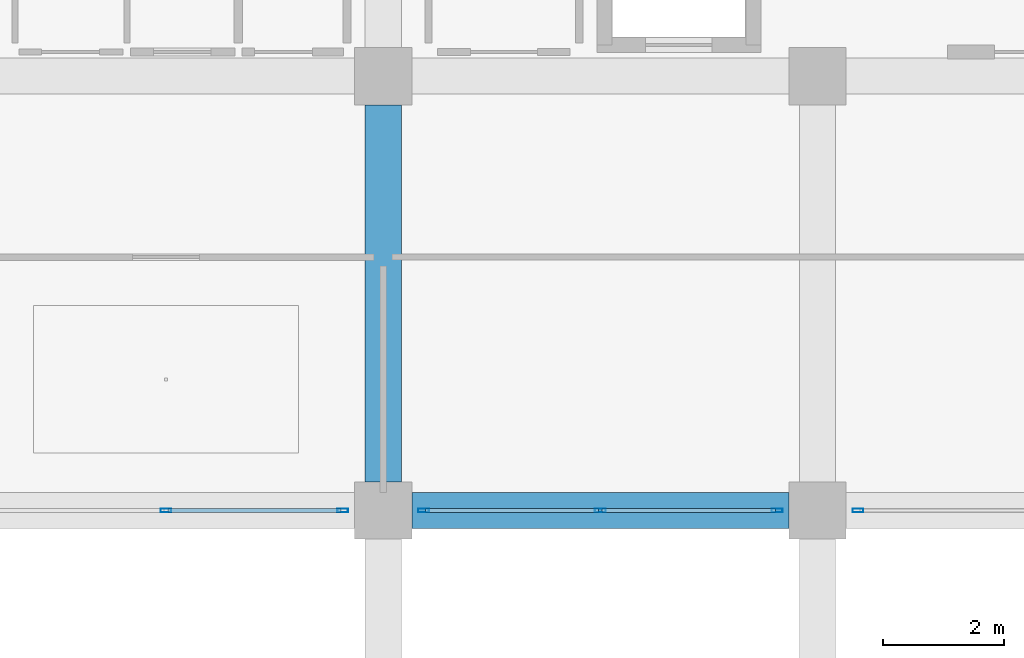
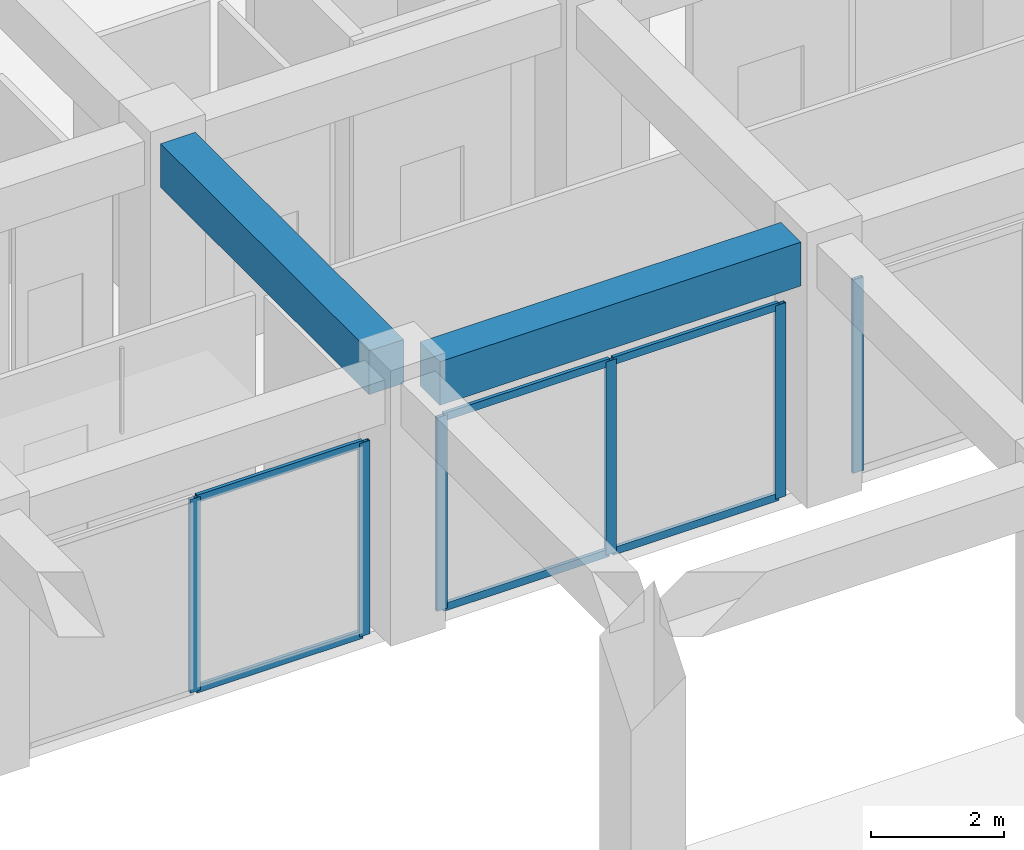
# One storey, part 13 of 54: 12 members, 2 beams, 3 elements without a shape of their own.
"""IFC4 building model written with IfcOpenShell, lengths in metres."""

import ifcopenshell
import ifcopenshell.guid

model = None  # the IFC model being written
_history = None  # IfcOwnerHistory: only IFC2X3 demands one
_inside = {}  # id of a spatial element -> (the spatial element, [elements in it])
_under = {}  # id of a project, library or spatial element -> (it, [spatial elements below it])
_declared = {}  # id of a project -> (the project, [libraries it declares])
_typed = {}  # id of a type object -> (the type object, [elements of that type])
_made_of = {}  # id of a material, layer set ... -> (it, [elements and type objects made of it])


def new_model(schema):
    """Start an empty IFC model of exactly this schema.

    Asked for "IFC4X3", IfcOpenShell would pick the latest addendum, in which some entities
    have other attributes; the version numbers below select the first issue.
    IFC2X3 requires an IfcOwnerHistory on every rooted entity: one is made here for all.
    """
    global model, _history
    if schema == "IFC4X3":
        model = ifcopenshell.file(schema_version=(4, 3, 0, 0))
    else:
        model = ifcopenshell.file(schema=schema)
    _inside.clear()
    _under.clear()
    _declared.clear()
    _typed.clear()
    _made_of.clear()
    _history = None
    if model.schema == "IFC2X3":
        org = make("IfcOrganization", Name="unknown")
        user = make(
            "IfcPersonAndOrganization",
            ThePerson=make("IfcPerson", FamilyName="unknown"),
            TheOrganization=org,
        )
        app = make(
            "IfcApplication",
            ApplicationDeveloper=org,
            Version="unknown",
            ApplicationFullName="unknown",
            ApplicationIdentifier="unknown",
        )
        _history = make(
            "IfcOwnerHistory",
            OwningUser=user,
            OwningApplication=app,
            ChangeAction="ADDED",
            CreationDate=0,
        )
    return model


def make(cls, **values):
    """One entity of the class cls with the attributes given. An attribute that is None is left unset."""
    return model.create_entity(
        cls, **{name: value for name, value in values.items() if value is not None}
    )


def rooted(cls, **values):
    """An entity with a GlobalId (a new one), such as an element, a storey or a relation."""
    return make(cls, GlobalId=ifcopenshell.guid.new(), OwnerHistory=_history, **values)


def si_unit(unit_type, name, prefix=None):
    """IfcSIUnit, for example si_unit("LENGTHUNIT", "METRE", prefix="MILLI")."""
    return make("IfcSIUnit", UnitType=unit_type, Prefix=prefix, Name=name)


def assignment(units):
    """IfcUnitAssignment: the units of a project."""
    return None if units is None else make("IfcUnitAssignment", Units=units)


def point(xyz):
    """IfcCartesianPoint."""
    return None if xyz is None else make("IfcCartesianPoint", Coordinates=xyz)


def direction(xyz):
    """IfcDirection."""
    return None if xyz is None else make("IfcDirection", DirectionRatios=xyz)


def frame(location, z_axis=None, x_axis=None):
    """IfcAxis2Placement3D, a coordinate frame: its origin and axes. An axis left out is left unset."""
    return make(
        "IfcAxis2Placement3D",
        Location=point(location),
        Axis=direction(z_axis),
        RefDirection=direction(x_axis),
    )


def frame_2d(location, x_axis=None):
    """IfcAxis2Placement2D, a coordinate frame in the plane: its origin and x axis."""
    return make(
        "IfcAxis2Placement2D", Location=point(location), RefDirection=direction(x_axis)
    )


def origin():
    """The frame at (0, 0, 0) with its axes left unset."""
    return frame((0.0, 0.0, 0.0))


def origin_2d():
    """The frame at (0, 0) in the plane with its x axis left unset."""
    return frame_2d((0.0, 0.0))


def place(relative_to, where):
    """IfcLocalPlacement: puts the frame where relative to a parent placement (None: the world)."""
    return make(
        "IfcLocalPlacement", PlacementRelTo=relative_to, RelativePlacement=where
    )


def context(
    kind, dimensions, precision=None, world=None, true_north=None, identifier=None
):
    """IfcGeometricRepresentationContext, for example the 3D "Model" context."""
    return make(
        "IfcGeometricRepresentationContext",
        ContextIdentifier=identifier,
        ContextType=kind,
        CoordinateSpaceDimension=dimensions,
        Precision=precision,
        WorldCoordinateSystem=world,
        TrueNorth=true_north,
    )


def subcontext(parent, identifier, kind, view, scale=None):
    """IfcGeometricRepresentationSubContext, for example "Body" below "Model"."""
    return make(
        "IfcGeometricRepresentationSubContext",
        ContextIdentifier=identifier,
        ContextType=kind,
        ParentContext=parent,
        TargetScale=scale,
        TargetView=view,
    )


def project(units=None, contexts=None):
    """IfcProject with its units and contexts."""
    return rooted(
        "IfcProject",
        Name="project",
        RepresentationContexts=contexts,
        UnitsInContext=assignment(units),
    )


def spatial(cls, under=None, at=None, **own):
    """A site, building, storey or space (cls), placed at a placement, below another one or the project."""
    s = rooted(cls, ObjectPlacement=at, **own)
    if under is not None:
        _under.setdefault(under.id(), (under, []))[1].append(s)
    return s


def profile(cls, at=None, kind="AREA", **sizes):
    """A parametric profile (cls). Its sizes go by their IFC names, for example OverallWidth=200.0."""
    return make(cls, ProfileType=kind, Position=at, **sizes)


def rectangle(**sizes):
    """IfcRectangleProfileDef."""
    return profile("IfcRectangleProfileDef", **sizes)


def hollow_rectangle(**sizes):
    """IfcRectangleHollowProfileDef."""
    return profile("IfcRectangleHollowProfileDef", **sizes)


def extrude(swept, where, along, depth):
    """IfcExtrudedAreaSolid: the profile swept, set in the frame where, extruded along a direction by depth."""
    return make(
        "IfcExtrudedAreaSolid",
        SweptArea=swept,
        Position=where,
        ExtrudedDirection=direction(along),
        Depth=depth,
    )


def shape(context_of_items, identifier, shape_type, items):
    """IfcShapeRepresentation: the items that make up one representation, for example the "Body"."""
    return make(
        "IfcShapeRepresentation",
        ContextOfItems=context_of_items,
        RepresentationIdentifier=identifier,
        RepresentationType=shape_type,
        Items=items,
    )


def material(Name=None, Category=None):
    """IfcMaterial."""
    return make("IfcMaterial", Name=Name, Category=Category)


def material_profile(
    of_material, cross_section, Name=None, Category=None, Priority=None
):
    """IfcMaterialProfile: a cross section and its material."""
    return make(
        "IfcMaterialProfile",
        Name=Name,
        Material=of_material,
        Profile=cross_section,
        Priority=Priority,
        Category=Category,
    )


def profile_set(profiles, Name=None, composite=None):
    """IfcMaterialProfileSet."""
    return make(
        "IfcMaterialProfileSet",
        Name=Name,
        MaterialProfiles=profiles,
        CompositeProfile=composite,
    )


def made_of(thing, what):
    """Note that an element or type object is made of a material, layer set ...; save() writes the relation."""
    if what is not None:
        _made_of.setdefault(what.id(), (what, []))[1].append(thing)
    return thing


def type_object(cls, material=None, **own):
    """A type object (cls), such as IfcWallType, which elements share."""
    return made_of(rooted(cls, **own), material)


def element(
    cls,
    number,
    at=None,
    inside=None,
    cuts=None,
    type_object=None,
    material=None,
    context=None,
    identifier="Body",
    shape_type=None,
    held_by="IfcProductDefinitionShape",
    body=None,
    shapes=None,
    **own,
):
    """One element of the class cls, such as IfcWall. Its Tag is "e" and its number.

    at: its placement. inside: the storey or other place that contains it. cuts: it is an
    opening in that element (IfcRelVoidsElement). A single representation is given by context,
    identifier, shape_type and body (its items); several are given by shapes. held_by: the class
    of the entity that holds the representations. save() writes the other relations.
    """
    e = rooted(cls, Tag="e%d" % number, ObjectPlacement=at, **own)
    if body is not None:
        shapes = [shape(context, identifier, shape_type, body)]
    if shapes is not None:
        e.Representation = make(held_by, Representations=shapes)
    if inside is not None:
        _inside.setdefault(inside.id(), (inside, []))[1].append(e)
    if cuts is not None:
        rooted(
            "IfcRelVoidsElement", RelatingBuildingElement=cuts, RelatedOpeningElement=e
        )
    if type_object is not None:
        _typed.setdefault(type_object.id(), (type_object, []))[1].append(e)
    return made_of(e, material)


def aggregate(whole, parts):
    """IfcRelAggregates: a whole, such as a stair, and the parts it consists of."""
    return rooted("IfcRelAggregates", RelatingObject=whole, RelatedObjects=parts)


def save(model, path):
    """Write the relations noted so far, then the file.

    IfcRelAggregates (storeys below a building ...), IfcRelContainedInSpatialStructure (elements
    in a storey), IfcRelDefinesByType, IfcRelAssociatesMaterial and IfcRelDeclares: one each for
    every whole, place, type object, material and project.
    """
    for whole, parts in _under.values():
        aggregate(whole, parts)
    for where, things in _inside.values():
        rooted(
            "IfcRelContainedInSpatialStructure",
            RelatedElements=things,
            RelatingStructure=where,
        )
    for kind, things in _typed.values():
        rooted("IfcRelDefinesByType", RelatedObjects=things, RelatingType=kind)
    for what, things in _made_of.values():
        rooted("IfcRelAssociatesMaterial", RelatedObjects=things, RelatingMaterial=what)
    for by, libraries in _declared.values():
        rooted("IfcRelDeclares", RelatingContext=by, RelatedDefinitions=libraries)
    model.write(path)


model = new_model("IFC4")

# Units and contexts
model_context = context("Model", 3, precision=1e-05, world=origin(), true_north=direction((0.0, 1.0)))
body_context = subcontext(model_context, "Body", "Model", "MODEL_VIEW")
ifc_project = project(units=[si_unit("LENGTHUNIT", "METRE"), si_unit("AREAUNIT", "SQUARE_METRE"), si_unit("VOLUMEUNIT", "CUBIC_METRE"), si_unit("PLANEANGLEUNIT", "RADIAN"), si_unit("MASSUNIT", "GRAM", prefix="KILO")], contexts=[model_context])

# Site, building, storey
site_placement = place(None, origin())
site = spatial("IfcSite", under=ifc_project, at=site_placement, CompositionType="ELEMENT")
building_placement = place(site_placement, origin())
building = spatial("IfcBuilding", under=site, at=building_placement, Name="Kazehaya Institute of Natural Sciences", CompositionType="ELEMENT")
storey_placement = place(building_placement, frame((0.0, 0.0, 5.39990234375)))
storey = spatial("IfcBuildingStorey", under=building, at=storey_placement, Name="L01", CompositionType="ELEMENT", Elevation=5.39990234375)

# Beams
ifc_material_1 = material(Name="Concrete Fc36", Category="concrete")
ifc_material_profile_1 = material_profile(ifc_material_1, rectangle(XDim=0.60009765625, YDim=0.800048828125, at=origin_2d()), Name="RC-600x800")
ifc_profile_set_1 = profile_set([ifc_material_profile_1], Name="Concrete Fc36")
beam_type = type_object("IfcBeamType", Name="BM-G-600x800", PredefinedType="BEAM", material=ifc_profile_set_1)
for number, where, z_axis, x_axis, name in (
    (1, (91.074951171875, 14.0, 4.3701171875), (1.0, 0.0, 0.0), (0.0, 1.0, 0.0), "L01 primary X girder BMX-L01-906-140"),
    (2, (90.60009765625, 14.47509765625, 4.3701171875), (0.0, 1.0, 0.0), (-1.0, 0.0, 0.0), "L01 primary Y girder BMY-L01-906-140"),
):
    element("IfcBeam", number, at=place(storey_placement, frame(where, z_axis=z_axis, x_axis=x_axis)), inside=storey, type_object=beam_type, Name=name, PredefinedType="BEAM", context=body_context, shape_type="SweptSolid", body=[
        extrude(rectangle(XDim=0.60009765625, YDim=0.800048828125, at=origin_2d()), origin(), (0.0, 0.0, 1.0), 6.25),
    ])

# Curtain wall, member
ifc_material_2 = material(Name="Aluminium alloy A6063S-T5", Category="aluminium")
curtain_wall_type = type_object("IfcCurtainWallType", Name="CW-SYS-02", PredefinedType="NOTDEFINED", material=ifc_material_2)
curtain_wall_1_placement = place(storey_placement, origin())
curtain_wall_1 = element("IfcCurtainWall", 3, at=curtain_wall_1_placement, inside=storey, type_object=curtain_wall_type, Name="L01 unitised curtain wall CW-L01-041", PredefinedType="NOTDEFINED")
ifc_material_profile_2 = material_profile(ifc_material_2, hollow_rectangle(XDim=0.06005859375, YDim=0.179931640625, WallThickness=0.00390625, at=origin_2d()), Name="ALU-60x180x4")
ifc_profile_set_2 = profile_set([ifc_material_profile_2], Name="Aluminium alloy A6063S-T5")
member_type_1 = type_object("IfcMemberType", Name="CWM-180", PredefinedType="MULLION", material=ifc_profile_set_2)
member_1_placement = place(storey_placement, frame((98.469970703125, 14.0, 0.0), z_axis=(0.0, 0.0, 1.0), x_axis=(0.0, -1.0, 0.0)))
member_1 = element("IfcMember", 4, at=member_1_placement, type_object=member_type_1, Name="CW02 mullion 3", PredefinedType="MULLION", context=body_context, shape_type="SweptSolid", body=[
    extrude(hollow_rectangle(XDim=0.06005859375, YDim=0.179931640625, WallThickness=0.00390625, at=origin_2d()), origin(), (0.0, 0.0, 1.0), 3.5400390625),
])
aggregate(curtain_wall_1, [member_1])

# Curtain wall, members
curtain_wall_2_placement = place(storey_placement, origin())
curtain_wall_2 = element("IfcCurtainWall", 5, at=curtain_wall_2_placement, inside=storey, type_object=curtain_wall_type, Name="L01 unitised curtain wall CW-L01-042", PredefinedType="NOTDEFINED")
member_2_placement = place(storey_placement, frame((97.1298828125, 14.0, 0.0), z_axis=(0.0, 0.0, 1.0), x_axis=(0.0, -1.0, 0.0)))
member_2 = element("IfcMember", 6, at=member_2_placement, type_object=member_type_1, Name="CW02 mullion 1", PredefinedType="MULLION", context=body_context, shape_type="SweptSolid", body=[
    extrude(hollow_rectangle(XDim=0.06005859375, YDim=0.179931640625, WallThickness=0.00390625, at=origin_2d()), origin(), (0.0, 0.0, 1.0), 3.5400390625),
])
member_3_placement = place(storey_placement, frame((94.199951171875, 14.0, 0.0), z_axis=(0.0, 0.0, 1.0), x_axis=(0.0, -1.0, 0.0)))
member_3 = element("IfcMember", 7, at=member_3_placement, type_object=member_type_1, Name="CW02 mullion 2", PredefinedType="MULLION", context=body_context, shape_type="SweptSolid", body=[
    extrude(hollow_rectangle(XDim=0.06005859375, YDim=0.179931640625, WallThickness=0.00390625, at=origin_2d()), origin(), (0.0, 0.0, 1.0), 3.5400390625),
])
member_4_placement = place(storey_placement, frame((91.27001953125, 14.0, 0.0), z_axis=(0.0, 0.0, 1.0), x_axis=(0.0, -1.0, 0.0)))
member_4 = element("IfcMember", 8, at=member_4_placement, type_object=member_type_1, Name="CW02 mullion 3", PredefinedType="MULLION", context=body_context, shape_type="SweptSolid", body=[
    extrude(hollow_rectangle(XDim=0.06005859375, YDim=0.179931640625, WallThickness=0.00390625, at=origin_2d()), origin(), (0.0, 0.0, 1.0), 3.5400390625),
])

curtain_wall_3_placement = place(storey_placement, origin())
curtain_wall_3 = element("IfcCurtainWall", 9, at=curtain_wall_3_placement, inside=storey, type_object=curtain_wall_type, Name="L01 unitised curtain wall CW-L01-043", PredefinedType="NOTDEFINED")
member_5_placement = place(storey_placement, frame((89.929931640625, 14.0, 0.0), z_axis=(0.0, 0.0, 1.0), x_axis=(0.0, -1.0, 0.0)))
member_5 = element("IfcMember", 10, at=member_5_placement, type_object=member_type_1, Name="CW02 mullion 1", PredefinedType="MULLION", context=body_context, shape_type="SweptSolid", body=[
    extrude(hollow_rectangle(XDim=0.06005859375, YDim=0.179931640625, WallThickness=0.00390625, at=origin_2d()), origin(), (0.0, 0.0, 1.0), 3.5400390625),
])
member_6_placement = place(storey_placement, frame((87.0, 14.0, 0.0), z_axis=(0.0, 0.0, 1.0), x_axis=(0.0, -1.0, 0.0)))
member_6 = element("IfcMember", 11, at=member_6_placement, type_object=member_type_1, Name="CW02 mullion 2", PredefinedType="MULLION", context=body_context, shape_type="SweptSolid", body=[
    extrude(hollow_rectangle(XDim=0.06005859375, YDim=0.179931640625, WallThickness=0.00390625, at=origin_2d()), origin(), (0.0, 0.0, 1.0), 3.5400390625),
])

# Member
ifc_material_profile_3 = material_profile(ifc_material_2, hollow_rectangle(XDim=0.06005859375, YDim=0.139892578125, WallThickness=0.00341796875, at=origin_2d()), Name="ALU-60x140x3.5")
ifc_profile_set_3 = profile_set([ifc_material_profile_3], Name="Aluminium alloy A6063S-T5")
member_type_2 = type_object("IfcMemberType", Name="CWT-140", PredefinedType="USERDEFINED", material=ifc_profile_set_3)
member_7_placement = place(storey_placement, frame((97.10009765625, 14.0, 0.030029296875), z_axis=(-1.0, 0.0, 0.0), x_axis=(0.0, -1.0, 0.0)))
member_7 = element("IfcMember", 12, at=member_7_placement, type_object=member_type_2, Name="CW02 transom 1.1", ObjectType="TRANSOM", PredefinedType="USERDEFINED", context=body_context, shape_type="SweptSolid", body=[
    extrude(hollow_rectangle(XDim=0.06005859375, YDim=0.139892578125, WallThickness=0.00341796875, at=origin_2d()), origin(), (0.0, 0.0, 1.0), 2.8701171875),
])

member_8_placement = place(storey_placement, frame((97.10009765625, 14.0, 3.510009765625), z_axis=(-1.0, 0.0, 0.0), x_axis=(0.0, -1.0, 0.0)))
member_8 = element("IfcMember", 13, at=member_8_placement, type_object=member_type_2, Name="CW02 transom 1.2", ObjectType="TRANSOM", PredefinedType="USERDEFINED", context=body_context, shape_type="SweptSolid", body=[
    extrude(hollow_rectangle(XDim=0.06005859375, YDim=0.139892578125, WallThickness=0.00341796875, at=origin_2d()), origin(), (0.0, 0.0, 1.0), 2.8701171875),
])

member_9_placement = place(storey_placement, frame((94.169921875, 14.0, 0.030029296875), z_axis=(-1.0, 0.0, 0.0), x_axis=(0.0, -1.0, 0.0)))
member_9 = element("IfcMember", 14, at=member_9_placement, type_object=member_type_2, Name="CW02 transom 2.1", ObjectType="TRANSOM", PredefinedType="USERDEFINED", context=body_context, shape_type="SweptSolid", body=[
    extrude(hollow_rectangle(XDim=0.06005859375, YDim=0.139892578125, WallThickness=0.00341796875, at=origin_2d()), origin(), (0.0, 0.0, 1.0), 2.869873046875),
])

member_10_placement = place(storey_placement, frame((94.169921875, 14.0, 3.510009765625), z_axis=(-1.0, 0.0, 0.0), x_axis=(0.0, -1.0, 0.0)))
member_10 = element("IfcMember", 15, at=member_10_placement, type_object=member_type_2, Name="CW02 transom 2.2", ObjectType="TRANSOM", PredefinedType="USERDEFINED", context=body_context, shape_type="SweptSolid", body=[
    extrude(hollow_rectangle(XDim=0.06005859375, YDim=0.139892578125, WallThickness=0.00341796875, at=origin_2d()), origin(), (0.0, 0.0, 1.0), 2.869873046875),
])

aggregate(curtain_wall_2, [member_2, member_3, member_4, member_7, member_8, member_9, member_10])

member_11_placement = place(storey_placement, frame((89.89990234375, 14.0, 0.030029296875), z_axis=(-1.0, 0.0, 0.0), x_axis=(0.0, -1.0, 0.0)))
member_11 = element("IfcMember", 16, at=member_11_placement, type_object=member_type_2, Name="CW02 transom 1.1", ObjectType="TRANSOM", PredefinedType="USERDEFINED", context=body_context, shape_type="SweptSolid", body=[
    extrude(hollow_rectangle(XDim=0.06005859375, YDim=0.139892578125, WallThickness=0.00341796875, at=origin_2d()), origin(), (0.0, 0.0, 1.0), 2.869873046875),
])

member_12_placement = place(storey_placement, frame((89.89990234375, 14.0, 3.510009765625), z_axis=(-1.0, 0.0, 0.0), x_axis=(0.0, -1.0, 0.0)))
member_12 = element("IfcMember", 17, at=member_12_placement, type_object=member_type_2, Name="CW02 transom 1.2", ObjectType="TRANSOM", PredefinedType="USERDEFINED", context=body_context, shape_type="SweptSolid", body=[
    extrude(hollow_rectangle(XDim=0.06005859375, YDim=0.139892578125, WallThickness=0.00341796875, at=origin_2d()), origin(), (0.0, 0.0, 1.0), 2.869873046875),
])

aggregate(curtain_wall_3, [member_5, member_6, member_11, member_12])

save(model, "model.ifc")
